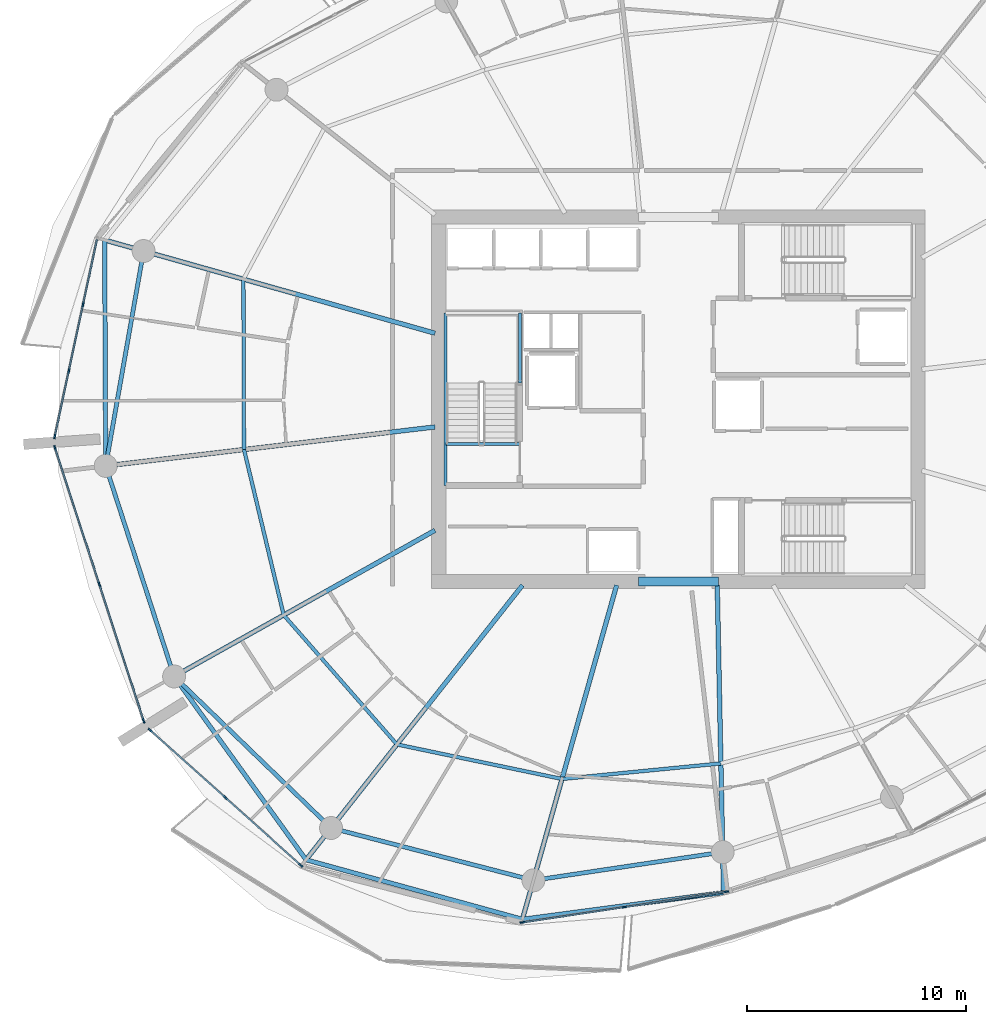
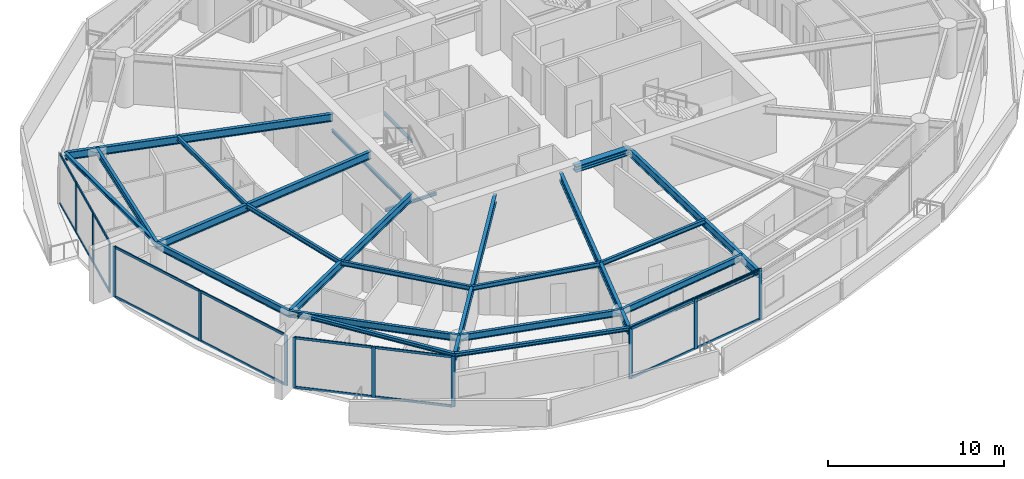
# One storey, part 5 of 20: 30 members, 24 beams, 4 elements without a shape of their own.
"""IFC4 building model written with IfcOpenShell, lengths in metres."""

from ifc_helpers import new_model, si_unit, direction, frame, origin, origin_2d, place, context, subcontext, project, spatial, rectangle, i_section, extrude, material, layer, layer_set, material_profile, profile_set, type_object, element, aggregate, save


model = new_model("IFC4")

# Units and contexts
model_context = context("Model", 3, precision=1e-05, world=origin(), true_north=direction((0.0, 1.0)))
body_context = subcontext(model_context, "Body", "Model", "MODEL_VIEW")
ifc_project = project(units=[si_unit("LENGTHUNIT", "METRE"), si_unit("AREAUNIT", "SQUARE_METRE"), si_unit("VOLUMEUNIT", "CUBIC_METRE"), si_unit("PLANEANGLEUNIT", "RADIAN"), si_unit("MASSUNIT", "GRAM", prefix="KILO")], contexts=[model_context])

# Site, building, storey
site_placement = place(None, origin())
site = spatial("IfcSite", under=ifc_project, at=site_placement, CompositionType="ELEMENT")
building_placement = place(site_placement, origin())
building = spatial("IfcBuilding", under=site, at=building_placement, Name="Kazma Halo Residences", CompositionType="ELEMENT")
storey_placement = place(building_placement, frame((0.0, 0.0, 206.550048828125)))
storey = spatial("IfcBuildingStorey", under=building, at=storey_placement, Name="L52", CompositionType="ELEMENT", Elevation=206.550048828125)

# Beams
ifc_material_1 = material(Name="Steel S355", Category="steel")
ifc_material_profile_1 = material_profile(ifc_material_1, i_section(OverallWidth=0.201904296875, OverallDepth=0.2470703125, WebThickness=0.00732421875, FlangeThickness=0.010986328125, FilletRadius=0.011962890625, at=origin_2d()), Name="W250x49.1")
ifc_profile_set_1 = profile_set([ifc_material_profile_1], Name="Steel S355")
beam_type_1 = type_object("IfcBeamType", Name="BM-BAL-CANT", PredefinedType="BEAM", material=ifc_profile_set_1)
for number, where, z_axis, x_axis, name in (
    (1, (22.19970703125, 49.276611328125, 3.37646484375), (0.004705663334, -0.999988928305, 0.0), (0.999988928305, 0.004705663334, 0.0), "L52 wave-balcony tie beam 07"),
    (2, (25.375, 29.329345703125, 3.37646484375), (0.583963922576, -0.811779611181, 0.0), (0.811779611181, 0.583963922576, 0.0), "L52 wave-balcony lead tie beam 09"),
):
    element("IfcBeam", number, at=place(storey_placement, frame(where, z_axis=z_axis, x_axis=x_axis)), inside=storey, type_object=beam_type_1, Name=name, PredefinedType="BEAM", context=body_context, shape_type="SweptSolid", body=[
        extrude(i_section(OverallWidth=0.201904296875, OverallDepth=0.2470703125, WebThickness=0.00732421875, FlangeThickness=0.010986328125, FilletRadius=0.011962890625, at=origin_2d()), origin(), (0.0, 0.0, 1.0), 10.324462890625),
    ])
beam_1_placement = place(storey_placement, frame((31.404052734375, 20.9482421875, 3.37646484375), z_axis=(0.964197026197, -0.265186905169, 0.0), x_axis=(0.265186905169, 0.964197026197, 0.0)))
element("IfcBeam", 3, at=beam_1_placement, inside=storey, type_object=beam_type_1, Name="L52 wave-balcony tie beam 10", PredefinedType="BEAM", context=body_context, shape_type="SweptSolid", body=[
    extrude(i_section(OverallWidth=0.201904296875, OverallDepth=0.2470703125, WebThickness=0.00732421875, FlangeThickness=0.010986328125, FilletRadius=0.011962890625, at=origin_2d()), origin(), (0.0, 0.0, 1.0), 10.258544921875),
])
beam_2_placement = place(storey_placement, frame((41.29541015625, 18.227783203125, 3.37646484375), z_axis=(0.99126671613, 0.131872277199, 0.0), x_axis=(-0.131872277199, 0.99126671613, 0.0)))
element("IfcBeam", 4, at=beam_2_placement, inside=storey, type_object=beam_type_1, Name="L52 wave-balcony tie beam 11", PredefinedType="BEAM", context=body_context, shape_type="SweptSolid", body=[
    extrude(i_section(OverallWidth=0.201904296875, OverallDepth=0.2470703125, WebThickness=0.00732421875, FlangeThickness=0.010986328125, FilletRadius=0.011962890625, at=origin_2d()), origin(), (0.0, 0.0, 1.0), 9.2734375),
])
ifc_material_profile_2 = material_profile(ifc_material_1, i_section(OverallWidth=0.408935546875, OverallDepth=0.425048828125, WebThickness=0.03271484375, FlangeThickness=0.052490234375, FilletRadius=0.02001953125, at=origin_2d()), Name="W360x421")
ifc_profile_set_2 = profile_set([ifc_material_profile_2], Name="Steel S355")
beam_type_2 = type_object("IfcBeamType", Name="BM-CORE-W360H", PredefinedType="BEAM", material=ifc_profile_set_2)
beam_3_placement = place(storey_placement, frame((46.60009765625, 33.675048828125, 3.287353515625), z_axis=(1.0, 0.0, 0.0), x_axis=(0.0, 1.0, 0.0)))
element("IfcBeam", 5, at=beam_3_placement, inside=storey, type_object=beam_type_2, Name="L52 core coupling beam S", PredefinedType="BEAM", context=body_context, shape_type="SweptSolid", body=[
    extrude(i_section(OverallWidth=0.408935546875, OverallDepth=0.425048828125, WebThickness=0.03271484375, FlangeThickness=0.052490234375, FilletRadius=0.02001953125, at=origin_2d()), origin(), (0.0, 0.0, 1.0), 3.64990234375),
])
ifc_material_profile_3 = material_profile(ifc_material_1, i_section(OverallWidth=0.208984375, OverallDepth=0.532958984375, WebThickness=0.01025390625, FlangeThickness=0.015625, FilletRadius=0.01611328125, at=origin_2d()), Name="W530x92")
ifc_profile_set_3 = profile_set([ifc_material_profile_3], Name="Steel S355")
beam_type_3 = type_object("IfcBeamType", Name="BM-RAD-W530", PredefinedType="BEAM", material=ifc_profile_set_3)
beam_4_placement = place(storey_placement, frame((37.300048828125, 45.017578125, 3.2333984375), z_axis=(-0.962450301448, 0.271457947467, 0.0), x_axis=(-0.271457947467, -0.962450301448, 0.0)))
element("IfcBeam", 6, at=beam_4_placement, inside=storey, type_object=beam_type_3, Name="L52 radial floor beam 07", PredefinedType="BEAM", context=body_context, shape_type="SweptSolid", body=[
    extrude(i_section(OverallWidth=0.208984375, OverallDepth=0.532958984375, WebThickness=0.01025390625, FlangeThickness=0.015625, FilletRadius=0.01611328125, at=origin_2d()), origin(), (0.0, 0.0, 1.0), 15.689453125),
])
beam_5_placement = place(storey_placement, frame((37.300048828125, 40.733642578125, 3.2333984375), z_axis=(-0.993068447674, -0.117537475875, 0.0), x_axis=(0.117537475875, -0.993068447674, 0.0)))
element("IfcBeam", 7, at=beam_5_placement, inside=storey, type_object=beam_type_3, Name="L52 radial floor beam 08", PredefinedType="BEAM", context=body_context, shape_type="SweptSolid", body=[
    extrude(i_section(OverallWidth=0.208984375, OverallDepth=0.532958984375, WebThickness=0.01025390625, FlangeThickness=0.015625, FilletRadius=0.01611328125, at=origin_2d()), origin(), (0.0, 0.0, 1.0), 15.15673828125),
])
beam_6_placement = place(storey_placement, frame((37.300048828125, 36.0078125, 3.2333984375), z_axis=(-0.872492308718, -0.488627845327, 0.0), x_axis=(0.488627845327, -0.872492308718, 0.0)))
element("IfcBeam", 8, at=beam_6_placement, inside=storey, type_object=beam_type_3, Name="L52 radial floor beam 09", PredefinedType="BEAM", context=body_context, shape_type="SweptSolid", body=[
    extrude(i_section(OverallWidth=0.208984375, OverallDepth=0.532958984375, WebThickness=0.01025390625, FlangeThickness=0.015625, FilletRadius=0.01611328125, at=origin_2d()), origin(), (0.0, 0.0, 1.0), 13.667724609375),
])
beam_7_placement = place(storey_placement, frame((41.299072265625, 33.5, 3.2333984375), z_axis=(-0.61909439419, -0.785316580165, 0.0), x_axis=(0.785316580165, -0.61909439419, 0.0)))
element("IfcBeam", 9, at=beam_7_placement, inside=storey, type_object=beam_type_3, Name="L52 radial floor beam 10", PredefinedType="BEAM", context=body_context, shape_type="SweptSolid", body=[
    extrude(i_section(OverallWidth=0.208984375, OverallDepth=0.532958984375, WebThickness=0.01025390625, FlangeThickness=0.015625, FilletRadius=0.01611328125, at=origin_2d()), origin(), (0.0, 0.0, 1.0), 15.983154296875),
])
beam_8_placement = place(storey_placement, frame((45.602783203125, 33.5, 3.2333984375), z_axis=(-0.271449932859, -0.962452561922, 0.0), x_axis=(0.962452561922, -0.271449932859, 0.0)))
element("IfcBeam", 10, at=beam_8_placement, inside=storey, type_object=beam_type_3, Name="L52 radial floor beam 11", PredefinedType="BEAM", context=body_context, shape_type="SweptSolid", body=[
    extrude(i_section(OverallWidth=0.208984375, OverallDepth=0.532958984375, WebThickness=0.01025390625, FlangeThickness=0.015625, FilletRadius=0.01611328125, at=origin_2d()), origin(), (0.0, 0.0, 1.0), 15.867919921875),
])
beam_9_placement = place(storey_placement, frame((50.199951171875, 33.5, 3.2333984375), z_axis=(0.020483658838, -0.99979018785, 0.0), x_axis=(0.99979018785, 0.020483658838, 0.0)))
element("IfcBeam", 11, at=beam_9_placement, inside=storey, type_object=beam_type_3, Name="L52 radial floor beam 12", PredefinedType="BEAM", context=body_context, shape_type="SweptSolid", body=[
    extrude(i_section(OverallWidth=0.208984375, OverallDepth=0.532958984375, WebThickness=0.01025390625, FlangeThickness=0.015625, FilletRadius=0.01611328125, at=origin_2d()), origin(), (0.0, 0.0, 1.0), 14.05224609375),
])
ifc_material_profile_4 = material_profile(ifc_material_1, i_section(OverallWidth=0.1650390625, OverallDepth=0.31005859375, WebThickness=0.005859375, FlangeThickness=0.009765625, FilletRadius=0.011962890625, at=origin_2d()), Name="W310x38.7")
ifc_profile_set_4 = profile_set([ifc_material_profile_4], Name="Steel S355")
beam_type_4 = type_object("IfcBeamType", Name="BM-SEC-W310B", PredefinedType="JOIST", material=ifc_profile_set_4)
beam_10_placement = place(storey_placement, frame((28.5419921875, 47.48779296875, 3.344970703125), z_axis=(0.003605218278, -0.999993501179, 0.0), x_axis=(0.999993501179, 0.003605218278, 0.0)))
element("IfcBeam", 12, at=beam_10_placement, inside=storey, type_object=beam_type_4, Name="L52 circumferential floor joist 07", PredefinedType="JOIST", context=body_context, shape_type="SweptSolid", body=[
    extrude(i_section(OverallWidth=0.1650390625, OverallDepth=0.31005859375, WebThickness=0.005859375, FlangeThickness=0.009765625, FilletRadius=0.011962890625, at=origin_2d()), origin(), (0.0, 0.0, 1.0), 7.78759765625),
])
beam_11_placement = place(storey_placement, frame((28.570068359375, 39.7001953125, 3.344970703125), z_axis=(0.233058429286, -0.972462733753, 0.0), x_axis=(0.972462733753, 0.233058429286, 0.0)))
element("IfcBeam", 13, at=beam_11_placement, inside=storey, type_object=beam_type_4, Name="L52 circumferential floor joist 08", PredefinedType="JOIST", context=body_context, shape_type="SweptSolid", body=[
    extrude(i_section(OverallWidth=0.1650390625, OverallDepth=0.31005859375, WebThickness=0.005859375, FlangeThickness=0.009765625, FilletRadius=0.011962890625, at=origin_2d()), origin(), (0.0, 0.0, 1.0), 7.7802734375),
])
beam_12_placement = place(storey_placement, frame((30.38330078125, 32.13427734375, 3.344970703125), z_axis=(0.658629944618, -0.75246700662, 0.0), x_axis=(0.75246700662, 0.658629944618, 0.0)))
element("IfcBeam", 14, at=beam_12_placement, inside=storey, type_object=beam_type_4, Name="L52 circumferential floor joist 09", PredefinedType="JOIST", context=body_context, shape_type="SweptSolid", body=[
    extrude(i_section(OverallWidth=0.1650390625, OverallDepth=0.31005859375, WebThickness=0.005859375, FlangeThickness=0.009765625, FilletRadius=0.011962890625, at=origin_2d()), origin(), (0.0, 0.0, 1.0), 7.85986328125),
])
beam_13_placement = place(storey_placement, frame((35.56005859375, 26.219970703125, 3.344970703125), z_axis=(0.978821484976, -0.204715657802, 0.0), x_axis=(0.204715657802, 0.978821484976, 0.0)))
element("IfcBeam", 15, at=beam_13_placement, inside=storey, type_object=beam_type_4, Name="L52 circumferential floor joist 10", PredefinedType="JOIST", context=body_context, shape_type="SweptSolid", body=[
    extrude(i_section(OverallWidth=0.1650390625, OverallDepth=0.31005859375, WebThickness=0.005859375, FlangeThickness=0.009765625, FilletRadius=0.011962890625, at=origin_2d()), origin(), (0.0, 0.0, 1.0), 7.707763671875),
])
beam_14_placement = place(storey_placement, frame((43.1044921875, 24.64208984375, 3.344970703125), z_axis=(0.995262165401, 0.097227681872, 0.0), x_axis=(-0.097227681872, 0.995262165401, 0.0)))
element("IfcBeam", 16, at=beam_14_placement, inside=storey, type_object=beam_type_4, Name="L52 circumferential floor joist 11", PredefinedType="JOIST", context=body_context, shape_type="SweptSolid", body=[
    extrude(i_section(OverallWidth=0.1650390625, OverallDepth=0.31005859375, WebThickness=0.005859375, FlangeThickness=0.009765625, FilletRadius=0.011962890625, at=origin_2d()), origin(), (0.0, 0.0, 1.0), 7.297119140625),
])
ifc_material_profile_5 = material_profile(ifc_material_1, i_section(OverallWidth=0.18994140625, OverallDepth=0.45703125, WebThickness=0.009033203125, FlangeThickness=0.014404296875, FilletRadius=0.01611328125, at=origin_2d()), Name="W460x74")
ifc_profile_set_5 = profile_set([ifc_material_profile_5], Name="Steel S355")
beam_type_5 = type_object("IfcBeamType", Name="BM-SPN-W460", PredefinedType="BEAM", material=ifc_profile_set_5)
beam_15_placement = place(storey_placement, frame((23.980224609375, 48.7744140625, 3.271484375), z_axis=(-0.173648484202, -0.984807698962, 0.0), x_axis=(0.984807698962, -0.173648484202, 0.0)))
element("IfcBeam", 17, at=beam_15_placement, inside=storey, type_object=beam_type_5, Name="L52 perimeter ring beam 07", PredefinedType="BEAM", context=body_context, shape_type="SweptSolid", body=[
    extrude(i_section(OverallWidth=0.18994140625, OverallDepth=0.45703125, WebThickness=0.009033203125, FlangeThickness=0.014404296875, FilletRadius=0.01611328125, at=origin_2d()), origin(), (0.0, 0.0, 1.0), 9.973876953125),
])
beam_16_placement = place(storey_placement, frame((22.248291015625, 38.9521484375, 3.271484375), z_axis=(0.309023327426, -0.951054458539, 0.0), x_axis=(0.951054458539, 0.309023327426, 0.0)))
element("IfcBeam", 18, at=beam_16_placement, inside=storey, type_object=beam_type_5, Name="L52 perimeter ring beam 08", PredefinedType="BEAM", context=body_context, shape_type="SweptSolid", body=[
    extrude(i_section(OverallWidth=0.18994140625, OverallDepth=0.45703125, WebThickness=0.009033203125, FlangeThickness=0.014404296875, FilletRadius=0.01611328125, at=origin_2d()), origin(), (0.0, 0.0, 1.0), 10.117919921875),
])
beam_17_placement = place(storey_placement, frame((25.375, 29.329345703125, 3.271484375), z_axis=(0.71933650181, -0.694661786169, 0.0), x_axis=(0.694661786169, 0.71933650181, 0.0)))
element("IfcBeam", 19, at=beam_17_placement, inside=storey, type_object=beam_type_5, Name="L52 perimeter ring beam 09", PredefinedType="BEAM", context=body_context, shape_type="SweptSolid", body=[
    extrude(i_section(OverallWidth=0.18994140625, OverallDepth=0.45703125, WebThickness=0.009033203125, FlangeThickness=0.014404296875, FilletRadius=0.01611328125, at=origin_2d()), origin(), (0.0, 0.0, 1.0), 9.9736328125),
])
beam_18_placement = place(storey_placement, frame((32.54931640625, 22.401123046875, 3.271484375), z_axis=(0.968120950739, -0.25048318255, 0.0), x_axis=(0.25048318255, 0.968120950739, 0.0)))
element("IfcBeam", 20, at=beam_18_placement, inside=storey, type_object=beam_type_5, Name="L52 perimeter ring beam 10", PredefinedType="BEAM", context=body_context, shape_type="SweptSolid", body=[
    extrude(i_section(OverallWidth=0.18994140625, OverallDepth=0.45703125, WebThickness=0.009033203125, FlangeThickness=0.014404296875, FilletRadius=0.01611328125, at=origin_2d()), origin(), (0.0, 0.0, 1.0), 9.552734375),
])
beam_19_placement = place(storey_placement, frame((41.797607421875, 20.00830078125, 3.271484375), z_axis=(0.98903439143, 0.147685383732, 0.0), x_axis=(-0.147685383732, 0.98903439143, 0.0)))
element("IfcBeam", 21, at=beam_19_placement, inside=storey, type_object=beam_type_5, Name="L52 perimeter ring beam 11", PredefinedType="BEAM", context=body_context, shape_type="SweptSolid", body=[
    extrude(i_section(OverallWidth=0.18994140625, OverallDepth=0.45703125, WebThickness=0.009033203125, FlangeThickness=0.014404296875, FilletRadius=0.01611328125, at=origin_2d()), origin(), (0.0, 0.0, 1.0), 8.748291015625),
])
ifc_material_profile_6 = material_profile(ifc_material_1, i_section(OverallWidth=0.133056640625, OverallDepth=0.20703125, WebThickness=0.005859375, FlangeThickness=0.00830078125, FilletRadius=0.010009765625, at=origin_2d()), Name="W200x26.6")
ifc_profile_set_6 = profile_set([ifc_material_profile_6], Name="Steel S355")
beam_type_6 = type_object("IfcBeamType", Name="BM-TRIM-W200", PredefinedType="BEAM", material=ifc_profile_set_6)
beam_20_placement = place(storey_placement, frame((37.800048828125, 39.949951171875, -0.360107421875), z_axis=(1.0, 0.0, 0.0), x_axis=(0.0, 1.0, 0.0)))
element("IfcBeam", 22, at=beam_20_placement, inside=storey, type_object=beam_type_6, Name="L52 ST-01 floor landing support beam", PredefinedType="BEAM", context=body_context, shape_type="SweptSolid", body=[
    extrude(i_section(OverallWidth=0.133056640625, OverallDepth=0.20703125, WebThickness=0.005859375, FlangeThickness=0.00830078125, FilletRadius=0.010009765625, at=origin_2d()), origin(), (0.0, 0.0, 1.0), 3.3798828125),
])
beam_21_placement = place(storey_placement, frame((37.780029296875, 38.06005859375, 1.570068359375), z_axis=(0.0, 1.0, 0.0), x_axis=(-1.0, 0.0, 0.0)))
element("IfcBeam", 23, at=beam_21_placement, inside=storey, type_object=beam_type_6, Name="L52 ST-01 landing west wall ledger", PredefinedType="BEAM", context=body_context, shape_type="SweptSolid", body=[
    extrude(i_section(OverallWidth=0.133056640625, OverallDepth=0.20703125, WebThickness=0.005859375, FlangeThickness=0.00830078125, FilletRadius=0.010009765625, at=origin_2d()), origin(), (0.0, 0.0, 1.0), 7.8798828125),
])
beam_22_placement = place(storey_placement, frame((41.179931640625, 42.75, 1.570068359375), z_axis=(0.0, 1.0, 0.0), x_axis=(-1.0, 0.0, 0.0)))
element("IfcBeam", 24, at=beam_22_placement, inside=storey, type_object=beam_type_6, Name="L52 ST-01 landing east wall ledger", PredefinedType="BEAM", context=body_context, shape_type="SweptSolid", body=[
    extrude(i_section(OverallWidth=0.133056640625, OverallDepth=0.20703125, WebThickness=0.005859375, FlangeThickness=0.00830078125, FilletRadius=0.010009765625, at=origin_2d()), origin(), (0.0, 0.0, 1.0), 3.18994140625),
])

# Curtain wall, members
ifc_material_2 = material(Name="Aluminium AW-6063 T6 and Triple-Silver Low-E Glass", Category="aluminium")
ifc_layer = layer(ifc_material_2, 0.219970703125)
ifc_layer_set = layer_set([ifc_layer], Name="Aluminium AW-6063 T6 and Triple-Silver Low-E Glass")
curtain_wall_type = type_object("IfcCurtainWallType", Name="CW-SYS-4", PredefinedType="NOTDEFINED", material=ifc_layer_set)
curtain_wall_1_placement = place(storey_placement, origin())
curtain_wall_1 = element("IfcCurtainWall", 25, at=curtain_wall_1_placement, inside=storey, type_object=curtain_wall_type, Name="L52 unitised curtain wall B07", PredefinedType="NOTDEFINED")
ifc_material_3 = material(Name="Aluminium AW-6063 T6", Category="aluminium")
ifc_material_profile_7 = material_profile(ifc_material_3, rectangle(XDim=0.074951171875, YDim=0.219970703125, at=origin_2d()), Name="CWM-75x220")
ifc_profile_set_7 = profile_set([ifc_material_profile_7], Name="Aluminium AW-6063 T6")
member_type_1 = type_object("IfcMemberType", Name="CW-SYS-4-MUL", PredefinedType="MULLION", material=ifc_profile_set_7)
member_1_placement = place(storey_placement, frame((21.212890625, 46.3330078125, 0.0), z_axis=(0.0, 0.0, 1.0), x_axis=(0.977768017212, -0.209689543175, 0.0)))
member_1 = element("IfcMember", 26, at=member_1_placement, type_object=member_type_1, Name="CWS-4 mullion 2", PredefinedType="MULLION", context=body_context, shape_type="SweptSolid", body=[
    extrude(rectangle(XDim=0.074951171875, YDim=0.219970703125, at=origin_2d()), origin(), (0.0, 0.0, 1.0), 3.5),
])
member_2_placement = place(storey_placement, frame((20.561279296875, 43.295166015625, 0.0), z_axis=(0.0, 0.0, 1.0), x_axis=(0.977768017212, -0.209689543175, 0.0)))
member_2 = element("IfcMember", 27, at=member_2_placement, type_object=member_type_1, Name="CWS-4 mullion 3", PredefinedType="MULLION", context=body_context, shape_type="SweptSolid", body=[
    extrude(rectangle(XDim=0.074951171875, YDim=0.219970703125, at=origin_2d()), origin(), (0.0, 0.0, 1.0), 3.5),
])
member_3_placement = place(storey_placement, frame((19.917724609375, 40.2939453125, 0.0), z_axis=(0.0, 0.0, 1.0), x_axis=(0.977768017212, -0.209689543175, 0.0)))
member_3 = element("IfcMember", 28, at=member_3_placement, type_object=member_type_1, Name="CWS-4 mullion 4", PredefinedType="MULLION", context=body_context, shape_type="SweptSolid", body=[
    extrude(rectangle(XDim=0.074951171875, YDim=0.219970703125, at=origin_2d()), origin(), (0.0, 0.0, 1.0), 3.5),
])

curtain_wall_2_placement = place(storey_placement, origin())
curtain_wall_2 = element("IfcCurtainWall", 29, at=curtain_wall_2_placement, inside=storey, type_object=curtain_wall_type, Name="L52 unitised curtain wall B08", PredefinedType="NOTDEFINED")
member_4_placement = place(storey_placement, frame((19.9287109375, 39.77880859375, 0.0), z_axis=(0.0, 0.0, 1.0), x_axis=(0.951056893636, 0.309015833038, 0.0)))
member_4 = element("IfcMember", 30, at=member_4_placement, type_object=member_type_1, Name="CWS-4 mullion 1", PredefinedType="MULLION", context=body_context, shape_type="SweptSolid", body=[
    extrude(rectangle(XDim=0.074951171875, YDim=0.219970703125, at=origin_2d()), origin(), (0.0, 0.0, 1.0), 3.5),
])
member_5_placement = place(storey_placement, frame((21.95654296875, 33.5380859375, 0.0), z_axis=(0.0, 0.0, 1.0), x_axis=(0.951056893636, 0.309015833038, 0.0)))
member_5 = element("IfcMember", 31, at=member_5_placement, type_object=member_type_1, Name="CWS-4 mullion 2", PredefinedType="MULLION", context=body_context, shape_type="SweptSolid", body=[
    extrude(rectangle(XDim=0.074951171875, YDim=0.219970703125, at=origin_2d()), origin(), (0.0, 0.0, 1.0), 3.5),
])
member_6_placement = place(storey_placement, frame((23.984375, 27.297119140625, 0.0), z_axis=(0.0, 0.0, 1.0), x_axis=(0.951056893636, 0.309015833038, 0.0)))
member_6 = element("IfcMember", 32, at=member_6_placement, type_object=member_type_1, Name="CWS-4 mullion 3", PredefinedType="MULLION", context=body_context, shape_type="SweptSolid", body=[
    extrude(rectangle(XDim=0.074951171875, YDim=0.219970703125, at=origin_2d()), origin(), (0.0, 0.0, 1.0), 3.5),
])

curtain_wall_3_placement = place(storey_placement, origin())
curtain_wall_3 = element("IfcCurtainWall", 33, at=curtain_wall_3_placement, inside=storey, type_object=curtain_wall_type, Name="L52 unitised curtain wall B09", PredefinedType="NOTDEFINED")
member_7_placement = place(storey_placement, frame((24.2783203125, 26.873779296875, 0.0), z_axis=(0.0, 0.0, 1.0), x_axis=(0.667784328806, 0.744354814723, 0.0)))
member_7 = element("IfcMember", 34, at=member_7_placement, type_object=member_type_1, Name="CWS-4 mullion 1", PredefinedType="MULLION", context=body_context, shape_type="SweptSolid", body=[
    extrude(rectangle(XDim=0.074951171875, YDim=0.219970703125, at=origin_2d()), origin(), (0.0, 0.0, 1.0), 3.5),
])
member_8_placement = place(storey_placement, frame((27.719482421875, 23.786865234375, 0.0), z_axis=(0.0, 0.0, 1.0), x_axis=(0.667784328806, 0.744354814723, 0.0)))
member_8 = element("IfcMember", 35, at=member_8_placement, type_object=member_type_1, Name="CWS-4 mullion 2", PredefinedType="MULLION", context=body_context, shape_type="SweptSolid", body=[
    extrude(rectangle(XDim=0.074951171875, YDim=0.219970703125, at=origin_2d()), origin(), (0.0, 0.0, 1.0), 3.5),
])
member_9_placement = place(storey_placement, frame((31.160400390625, 20.69970703125, 0.0), z_axis=(0.0, 0.0, 1.0), x_axis=(0.667784328806, 0.744354814723, 0.0)))
member_9 = element("IfcMember", 36, at=member_9_placement, type_object=member_type_1, Name="CWS-4 mullion 3", PredefinedType="MULLION", context=body_context, shape_type="SweptSolid", body=[
    extrude(rectangle(XDim=0.074951171875, YDim=0.219970703125, at=origin_2d()), origin(), (0.0, 0.0, 1.0), 3.5),
])

curtain_wall_4_placement = place(storey_placement, origin())
curtain_wall_4 = element("IfcCurtainWall", 37, at=curtain_wall_4_placement, inside=storey, type_object=curtain_wall_type, Name="L52 unitised curtain wall B11", PredefinedType="NOTDEFINED")
member_10_placement = place(storey_placement, frame((41.291259765625, 18.086669921875, 0.0), z_axis=(0.0, 0.0, 1.0), x_axis=(-0.148772639188, 0.988871428361, 0.0)))
member_10 = element("IfcMember", 38, at=member_10_placement, type_object=member_type_1, Name="CWS-4 mullion 1", PredefinedType="MULLION", context=body_context, shape_type="SweptSolid", body=[
    extrude(rectangle(XDim=0.074951171875, YDim=0.219970703125, at=origin_2d()), origin(), (0.0, 0.0, 1.0), 3.5),
])
member_11_placement = place(storey_placement, frame((45.958740234375, 18.788818359375, 0.0), z_axis=(0.0, 0.0, 1.0), x_axis=(-0.148772639188, 0.988871428361, 0.0)))
member_11 = element("IfcMember", 39, at=member_11_placement, type_object=member_type_1, Name="CWS-4 mullion 2", PredefinedType="MULLION", context=body_context, shape_type="SweptSolid", body=[
    extrude(rectangle(XDim=0.074951171875, YDim=0.219970703125, at=origin_2d()), origin(), (0.0, 0.0, 1.0), 3.5),
])
member_12_placement = place(storey_placement, frame((50.626220703125, 19.490966796875, 0.0), z_axis=(0.0, 0.0, 1.0), x_axis=(-0.148772639188, 0.988871428361, 0.0)))
member_12 = element("IfcMember", 40, at=member_12_placement, type_object=member_type_1, Name="CWS-4 mullion 3", PredefinedType="MULLION", context=body_context, shape_type="SweptSolid", body=[
    extrude(rectangle(XDim=0.074951171875, YDim=0.219970703125, at=origin_2d()), origin(), (0.0, 0.0, 1.0), 3.5),
])

# Member
ifc_material_profile_8 = material_profile(ifc_material_3, rectangle(XDim=0.074951171875, YDim=0.1650390625, at=origin_2d()), Name="CWT-75x165")
ifc_profile_set_8 = profile_set([ifc_material_profile_8], Name="Aluminium AW-6063 T6")
member_type_2 = type_object("IfcMemberType", Name="CW-SYS-4-TRN", PredefinedType="USERDEFINED", material=ifc_profile_set_8)
member_13_placement = place(storey_placement, frame((21.8486328125, 49.297607421875, 0.037353515625), z_axis=(-0.209707268418, -0.977764215735, 0.0), x_axis=(0.977764215735, -0.209707268418, 0.0)))
member_13 = element("IfcMember", 41, at=member_13_placement, type_object=member_type_2, Name="CWS-4 transom 1.1", ObjectType="TRANSOM", PredefinedType="USERDEFINED", context=body_context, shape_type="SweptSolid", body=[
    extrude(rectangle(XDim=0.074951171875, YDim=0.1650390625, at=origin_2d()), origin(), (0.0, 0.0, 1.0), 2.994384765625),
])

member_14_placement = place(storey_placement, frame((21.8486328125, 49.297607421875, 3.46240234375), z_axis=(-0.209707268418, -0.977764215735, 0.0), x_axis=(0.977764215735, -0.209707268418, 0.0)))
member_14 = element("IfcMember", 42, at=member_14_placement, type_object=member_type_2, Name="CWS-4 transom 1.2", ObjectType="TRANSOM", PredefinedType="USERDEFINED", context=body_context, shape_type="SweptSolid", body=[
    extrude(rectangle(XDim=0.074951171875, YDim=0.1650390625, at=origin_2d()), origin(), (0.0, 0.0, 1.0), 2.994384765625),
])

member_15_placement = place(storey_placement, frame((21.205078125, 46.29638671875, 0.037353515625), z_axis=(-0.209677559804, -0.977770587057, 0.0), x_axis=(0.977770587057, -0.209677559804, 0.0)))
member_15 = element("IfcMember", 43, at=member_15_placement, type_object=member_type_2, Name="CWS-4 transom 2.1", ObjectType="TRANSOM", PredefinedType="USERDEFINED", context=body_context, shape_type="SweptSolid", body=[
    extrude(rectangle(XDim=0.074951171875, YDim=0.1650390625, at=origin_2d()), origin(), (0.0, 0.0, 1.0), 3.031982421875),
])

member_16_placement = place(storey_placement, frame((21.205078125, 46.29638671875, 3.46240234375), z_axis=(-0.209677559804, -0.977770587057, 0.0), x_axis=(0.977770587057, -0.209677559804, 0.0)))
member_16 = element("IfcMember", 44, at=member_16_placement, type_object=member_type_2, Name="CWS-4 transom 2.2", ObjectType="TRANSOM", PredefinedType="USERDEFINED", context=body_context, shape_type="SweptSolid", body=[
    extrude(rectangle(XDim=0.074951171875, YDim=0.1650390625, at=origin_2d()), origin(), (0.0, 0.0, 1.0), 3.031982421875),
])

member_17_placement = place(storey_placement, frame((20.553466796875, 43.258544921875, 0.037353515625), z_axis=(-0.209690551496, -0.97776780097, 0.0), x_axis=(0.97776780097, -0.209690551496, 0.0)))
member_17 = element("IfcMember", 45, at=member_17_placement, type_object=member_type_2, Name="CWS-4 transom 3.1", ObjectType="TRANSOM", PredefinedType="USERDEFINED", context=body_context, shape_type="SweptSolid", body=[
    extrude(rectangle(XDim=0.074951171875, YDim=0.1650390625, at=origin_2d()), origin(), (0.0, 0.0, 1.0), 2.99462890625),
])

member_18_placement = place(storey_placement, frame((20.553466796875, 43.258544921875, 3.46240234375), z_axis=(-0.209690551496, -0.97776780097, 0.0), x_axis=(0.97776780097, -0.209690551496, 0.0)))
member_18 = element("IfcMember", 46, at=member_18_placement, type_object=member_type_2, Name="CWS-4 transom 3.2", ObjectType="TRANSOM", PredefinedType="USERDEFINED", context=body_context, shape_type="SweptSolid", body=[
    extrude(rectangle(XDim=0.074951171875, YDim=0.1650390625, at=origin_2d()), origin(), (0.0, 0.0, 1.0), 2.99462890625),
])

aggregate(curtain_wall_1, [member_1, member_2, member_3, member_13, member_14, member_15, member_16, member_17, member_18])

member_19_placement = place(storey_placement, frame((19.9404296875, 39.7431640625, 0.037353515625), z_axis=(0.30902650142, -0.951053427217, 0.0), x_axis=(0.951053427217, 0.30902650142, 0.0)))
member_19 = element("IfcMember", 47, at=member_19_placement, type_object=member_type_2, Name="CWS-4 transom 1.1", ObjectType="TRANSOM", PredefinedType="USERDEFINED", context=body_context, shape_type="SweptSolid", body=[
    extrude(rectangle(XDim=0.074951171875, YDim=0.1650390625, at=origin_2d()), origin(), (0.0, 0.0, 1.0), 6.487060546875),
])

member_20_placement = place(storey_placement, frame((19.9404296875, 39.7431640625, 3.46240234375), z_axis=(0.30902650142, -0.951053427217, 0.0), x_axis=(0.951053427217, 0.30902650142, 0.0)))
member_20 = element("IfcMember", 48, at=member_20_placement, type_object=member_type_2, Name="CWS-4 transom 1.2", ObjectType="TRANSOM", PredefinedType="USERDEFINED", context=body_context, shape_type="SweptSolid", body=[
    extrude(rectangle(XDim=0.074951171875, YDim=0.1650390625, at=origin_2d()), origin(), (0.0, 0.0, 1.0), 6.487060546875),
])

member_21_placement = place(storey_placement, frame((21.968017578125, 33.50244140625, 0.037353515625), z_axis=(0.309015440644, -0.951057021132, 0.0), x_axis=(0.951057021132, 0.309015440644, 0.0)))
member_21 = element("IfcMember", 49, at=member_21_placement, type_object=member_type_2, Name="CWS-4 transom 2.1", ObjectType="TRANSOM", PredefinedType="USERDEFINED", context=body_context, shape_type="SweptSolid", body=[
    extrude(rectangle(XDim=0.074951171875, YDim=0.1650390625, at=origin_2d()), origin(), (0.0, 0.0, 1.0), 6.487060546875),
])

member_22_placement = place(storey_placement, frame((21.968017578125, 33.50244140625, 3.46240234375), z_axis=(0.309015440644, -0.951057021132, 0.0), x_axis=(0.951057021132, 0.309015440644, 0.0)))
member_22 = element("IfcMember", 50, at=member_22_placement, type_object=member_type_2, Name="CWS-4 transom 2.2", ObjectType="TRANSOM", PredefinedType="USERDEFINED", context=body_context, shape_type="SweptSolid", body=[
    extrude(rectangle(XDim=0.074951171875, YDim=0.1650390625, at=origin_2d()), origin(), (0.0, 0.0, 1.0), 6.487060546875),
])

aggregate(curtain_wall_2, [member_4, member_5, member_6, member_19, member_20, member_21, member_22])

member_23_placement = place(storey_placement, frame((24.30615234375, 26.848876953125, 0.037353515625), z_axis=(0.744344906673, -0.667795372783, 0.0), x_axis=(0.667795372783, 0.744344906673, 0.0)))
member_23 = element("IfcMember", 51, at=member_23_placement, type_object=member_type_2, Name="CWS-4 transom 1.1", ObjectType="TRANSOM", PredefinedType="USERDEFINED", context=body_context, shape_type="SweptSolid", body=[
    extrude(rectangle(XDim=0.074951171875, YDim=0.1650390625, at=origin_2d()), origin(), (0.0, 0.0, 1.0), 4.5478515625),
])

member_24_placement = place(storey_placement, frame((24.30615234375, 26.848876953125, 3.46240234375), z_axis=(0.744344906673, -0.667795372783, 0.0), x_axis=(0.667795372783, 0.744344906673, 0.0)))
member_24 = element("IfcMember", 52, at=member_24_placement, type_object=member_type_2, Name="CWS-4 transom 1.2", ObjectType="TRANSOM", PredefinedType="USERDEFINED", context=body_context, shape_type="SweptSolid", body=[
    extrude(rectangle(XDim=0.074951171875, YDim=0.1650390625, at=origin_2d()), origin(), (0.0, 0.0, 1.0), 4.5478515625),
])

member_25_placement = place(storey_placement, frame((27.747314453125, 23.76171875, 0.037353515625), z_axis=(0.744344906673, -0.667795372783, 0.0), x_axis=(0.667795372783, 0.744344906673, 0.0)))
member_25 = element("IfcMember", 53, at=member_25_placement, type_object=member_type_2, Name="CWS-4 transom 2.1", ObjectType="TRANSOM", PredefinedType="USERDEFINED", context=body_context, shape_type="SweptSolid", body=[
    extrude(rectangle(XDim=0.074951171875, YDim=0.1650390625, at=origin_2d()), origin(), (0.0, 0.0, 1.0), 4.5478515625),
])

member_26_placement = place(storey_placement, frame((27.747314453125, 23.76171875, 3.46240234375), z_axis=(0.744344906673, -0.667795372783, 0.0), x_axis=(0.667795372783, 0.744344906673, 0.0)))
member_26 = element("IfcMember", 54, at=member_26_placement, type_object=member_type_2, Name="CWS-4 transom 2.2", ObjectType="TRANSOM", PredefinedType="USERDEFINED", context=body_context, shape_type="SweptSolid", body=[
    extrude(rectangle(XDim=0.074951171875, YDim=0.1650390625, at=origin_2d()), origin(), (0.0, 0.0, 1.0), 4.5478515625),
])

aggregate(curtain_wall_3, [member_7, member_8, member_9, member_23, member_24, member_25, member_26])

member_27_placement = place(storey_placement, frame((41.328369140625, 18.092041015625, 0.037353515625), z_axis=(0.988867623216, 0.148797929272, 0.0), x_axis=(-0.148797929272, 0.988867623216, 0.0)))
member_27 = element("IfcMember", 55, at=member_27_placement, type_object=member_type_2, Name="CWS-4 transom 1.1", ObjectType="TRANSOM", PredefinedType="USERDEFINED", context=body_context, shape_type="SweptSolid", body=[
    extrude(rectangle(XDim=0.074951171875, YDim=0.1650390625, at=origin_2d()), origin(), (0.0, 0.0, 1.0), 4.64501953125),
])

member_28_placement = place(storey_placement, frame((41.328369140625, 18.092041015625, 3.46240234375), z_axis=(0.988867623216, 0.148797929272, 0.0), x_axis=(-0.148797929272, 0.988867623216, 0.0)))
member_28 = element("IfcMember", 56, at=member_28_placement, type_object=member_type_2, Name="CWS-4 transom 1.2", ObjectType="TRANSOM", PredefinedType="USERDEFINED", context=body_context, shape_type="SweptSolid", body=[
    extrude(rectangle(XDim=0.074951171875, YDim=0.1650390625, at=origin_2d()), origin(), (0.0, 0.0, 1.0), 4.64501953125),
])

member_29_placement = place(storey_placement, frame((45.995849609375, 18.79443359375, 0.037353515625), z_axis=(0.988876518566, 0.148738801357, 0.0), x_axis=(-0.148738801357, 0.988876518566, 0.0)))
member_29 = element("IfcMember", 57, at=member_29_placement, type_object=member_type_2, Name="CWS-4 transom 2.1", ObjectType="TRANSOM", PredefinedType="USERDEFINED", context=body_context, shape_type="SweptSolid", body=[
    extrude(rectangle(XDim=0.074951171875, YDim=0.1650390625, at=origin_2d()), origin(), (0.0, 0.0, 1.0), 4.645263671875),
])

member_30_placement = place(storey_placement, frame((45.995849609375, 18.79443359375, 3.46240234375), z_axis=(0.988876518566, 0.148738801357, 0.0), x_axis=(-0.148738801357, 0.988876518566, 0.0)))
member_30 = element("IfcMember", 58, at=member_30_placement, type_object=member_type_2, Name="CWS-4 transom 2.2", ObjectType="TRANSOM", PredefinedType="USERDEFINED", context=body_context, shape_type="SweptSolid", body=[
    extrude(rectangle(XDim=0.074951171875, YDim=0.1650390625, at=origin_2d()), origin(), (0.0, 0.0, 1.0), 4.645263671875),
])

aggregate(curtain_wall_4, [member_10, member_11, member_12, member_27, member_28, member_29, member_30])

save(model, "model.ifc")
